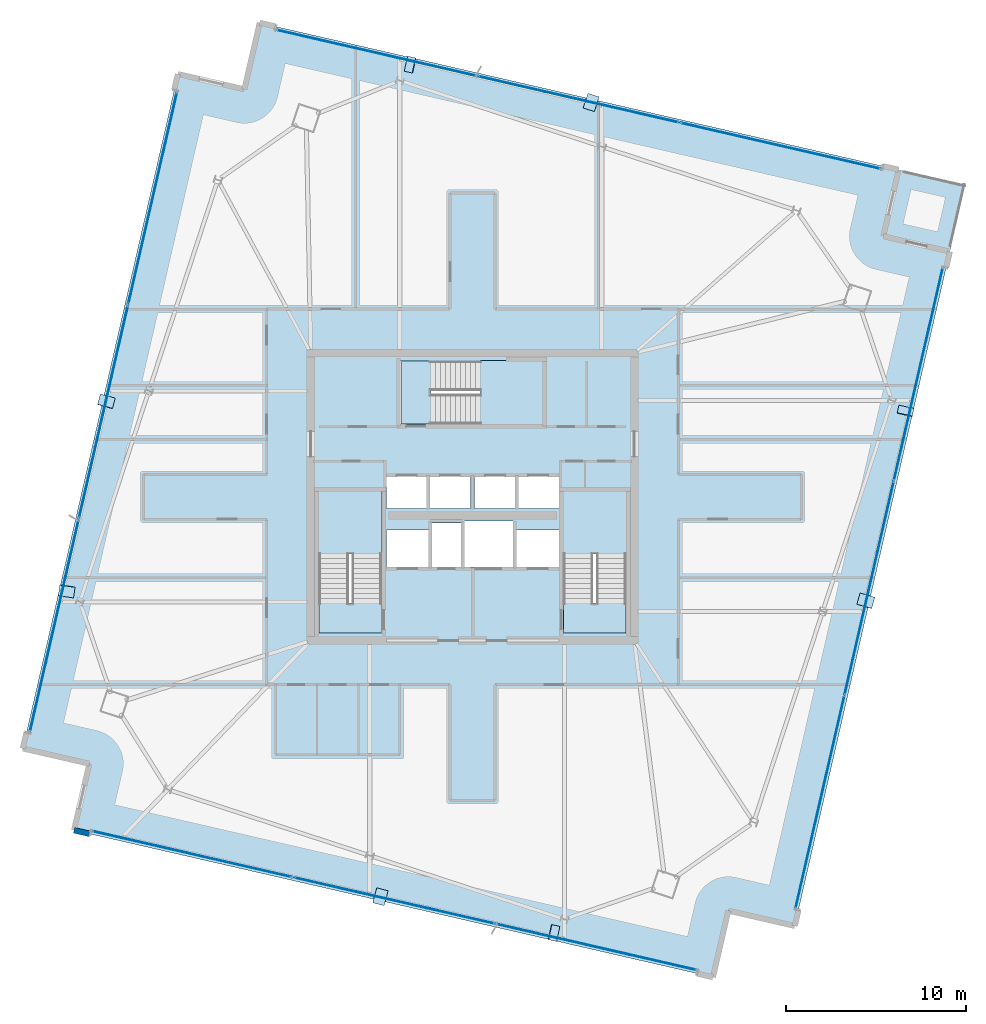
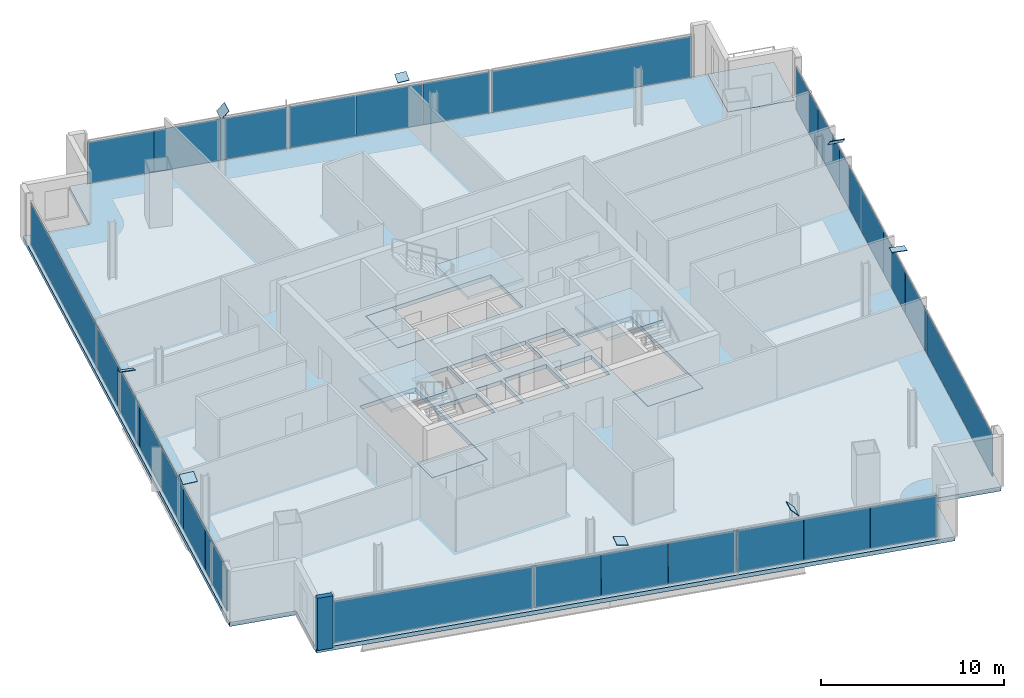
# One storey, part 19 of 28: 36 plates, 8 slabs, 1 wall, 7 elements without a shape of their own.
"""IFC4 building model written with IfcOpenShell, lengths in metres."""

import ifcopenshell
import ifcopenshell.guid

model = None  # the IFC model being written
_history = None  # IfcOwnerHistory: only IFC2X3 demands one
_inside = {}  # id of a spatial element -> (the spatial element, [elements in it])
_under = {}  # id of a project, library or spatial element -> (it, [spatial elements below it])
_declared = {}  # id of a project -> (the project, [libraries it declares])
_typed = {}  # id of a type object -> (the type object, [elements of that type])
_made_of = {}  # id of a material, layer set ... -> (it, [elements and type objects made of it])


def new_model(schema):
    """Start an empty IFC model of exactly this schema.

    Asked for "IFC4X3", IfcOpenShell would pick the latest addendum, in which some entities
    have other attributes; the version numbers below select the first issue.
    IFC2X3 requires an IfcOwnerHistory on every rooted entity: one is made here for all.
    """
    global model, _history
    if schema == "IFC4X3":
        model = ifcopenshell.file(schema_version=(4, 3, 0, 0))
    else:
        model = ifcopenshell.file(schema=schema)
    _inside.clear()
    _under.clear()
    _declared.clear()
    _typed.clear()
    _made_of.clear()
    _history = None
    if model.schema == "IFC2X3":
        org = make("IfcOrganization", Name="unknown")
        user = make(
            "IfcPersonAndOrganization",
            ThePerson=make("IfcPerson", FamilyName="unknown"),
            TheOrganization=org,
        )
        app = make(
            "IfcApplication",
            ApplicationDeveloper=org,
            Version="unknown",
            ApplicationFullName="unknown",
            ApplicationIdentifier="unknown",
        )
        _history = make(
            "IfcOwnerHistory",
            OwningUser=user,
            OwningApplication=app,
            ChangeAction="ADDED",
            CreationDate=0,
        )
    return model


def make(cls, **values):
    """One entity of the class cls with the attributes given. An attribute that is None is left unset."""
    return model.create_entity(
        cls, **{name: value for name, value in values.items() if value is not None}
    )


def rooted(cls, **values):
    """An entity with a GlobalId (a new one), such as an element, a storey or a relation."""
    return make(cls, GlobalId=ifcopenshell.guid.new(), OwnerHistory=_history, **values)


def si_unit(unit_type, name, prefix=None):
    """IfcSIUnit, for example si_unit("LENGTHUNIT", "METRE", prefix="MILLI")."""
    return make("IfcSIUnit", UnitType=unit_type, Prefix=prefix, Name=name)


def assignment(units):
    """IfcUnitAssignment: the units of a project."""
    return None if units is None else make("IfcUnitAssignment", Units=units)


def point(xyz):
    """IfcCartesianPoint."""
    return None if xyz is None else make("IfcCartesianPoint", Coordinates=xyz)


def direction(xyz):
    """IfcDirection."""
    return None if xyz is None else make("IfcDirection", DirectionRatios=xyz)


def frame(location, z_axis=None, x_axis=None):
    """IfcAxis2Placement3D, a coordinate frame: its origin and axes. An axis left out is left unset."""
    return make(
        "IfcAxis2Placement3D",
        Location=point(location),
        Axis=direction(z_axis),
        RefDirection=direction(x_axis),
    )


def frame_2d(location, x_axis=None):
    """IfcAxis2Placement2D, a coordinate frame in the plane: its origin and x axis."""
    return make(
        "IfcAxis2Placement2D", Location=point(location), RefDirection=direction(x_axis)
    )


def origin():
    """The frame at (0, 0, 0) with its axes left unset."""
    return frame((0.0, 0.0, 0.0))


def origin_2d():
    """The frame at (0, 0) in the plane with its x axis left unset."""
    return frame_2d((0.0, 0.0))


def place(relative_to, where):
    """IfcLocalPlacement: puts the frame where relative to a parent placement (None: the world)."""
    return make(
        "IfcLocalPlacement", PlacementRelTo=relative_to, RelativePlacement=where
    )


def context(
    kind, dimensions, precision=None, world=None, true_north=None, identifier=None
):
    """IfcGeometricRepresentationContext, for example the 3D "Model" context."""
    return make(
        "IfcGeometricRepresentationContext",
        ContextIdentifier=identifier,
        ContextType=kind,
        CoordinateSpaceDimension=dimensions,
        Precision=precision,
        WorldCoordinateSystem=world,
        TrueNorth=true_north,
    )


def subcontext(parent, identifier, kind, view, scale=None):
    """IfcGeometricRepresentationSubContext, for example "Body" below "Model"."""
    return make(
        "IfcGeometricRepresentationSubContext",
        ContextIdentifier=identifier,
        ContextType=kind,
        ParentContext=parent,
        TargetScale=scale,
        TargetView=view,
    )


def project(units=None, contexts=None):
    """IfcProject with its units and contexts."""
    return rooted(
        "IfcProject",
        Name="project",
        RepresentationContexts=contexts,
        UnitsInContext=assignment(units),
    )


def spatial(cls, under=None, at=None, **own):
    """A site, building, storey or space (cls), placed at a placement, below another one or the project."""
    s = rooted(cls, ObjectPlacement=at, **own)
    if under is not None:
        _under.setdefault(under.id(), (under, []))[1].append(s)
    return s


def polyline(points):
    """IfcPolyline through the points."""
    return make("IfcPolyline", Points=[point(p) for p in points])


def profile(cls, at=None, kind="AREA", **sizes):
    """A parametric profile (cls). Its sizes go by their IFC names, for example OverallWidth=200.0."""
    return make(cls, ProfileType=kind, Position=at, **sizes)


def rectangle(**sizes):
    """IfcRectangleProfileDef."""
    return profile("IfcRectangleProfileDef", **sizes)


def outline(outer, holes=None, kind="AREA"):
    """IfcArbitraryClosedProfileDef: a profile drawn as a closed curve; with holes, ...WithVoids."""
    if holes is None:
        return make("IfcArbitraryClosedProfileDef", ProfileType=kind, OuterCurve=outer)
    return make(
        "IfcArbitraryProfileDefWithVoids",
        ProfileType=kind,
        OuterCurve=outer,
        InnerCurves=holes,
    )


def extrude(swept, where, along, depth):
    """IfcExtrudedAreaSolid: the profile swept, set in the frame where, extruded along a direction by depth."""
    return make(
        "IfcExtrudedAreaSolid",
        SweptArea=swept,
        Position=where,
        ExtrudedDirection=direction(along),
        Depth=depth,
    )


def shape(context_of_items, identifier, shape_type, items):
    """IfcShapeRepresentation: the items that make up one representation, for example the "Body"."""
    return make(
        "IfcShapeRepresentation",
        ContextOfItems=context_of_items,
        RepresentationIdentifier=identifier,
        RepresentationType=shape_type,
        Items=items,
    )


def source(mapping_origin, context_of_items, identifier, shape_type, items):
    """IfcRepresentationMap: a shape defined once, which mapped items show again and again."""
    return make(
        "IfcRepresentationMap",
        MappingOrigin=mapping_origin,
        MappedRepresentation=shape(context_of_items, identifier, shape_type, items),
    )


def transform(
    local_origin,
    x_axis=None,
    y_axis=None,
    z_axis=None,
    scale=None,
    scale2=None,
    scale3=None,
    uniform=True,
):
    """IfcCartesianTransformationOperator3D, or its non-uniform kind. x_axis, y_axis, z_axis: its Axis1, 2, 3."""
    if uniform:
        return make(
            "IfcCartesianTransformationOperator3D",
            Axis1=direction(x_axis),
            Axis2=direction(y_axis),
            LocalOrigin=point(local_origin),
            Scale=scale,
            Axis3=direction(z_axis),
        )
    return make(
        "IfcCartesianTransformationOperator3DnonUniform",
        Axis1=direction(x_axis),
        Axis2=direction(y_axis),
        LocalOrigin=point(local_origin),
        Scale=scale,
        Axis3=direction(z_axis),
        Scale2=scale2,
        Scale3=scale3,
    )


def mapped(mapping_source, mapping_target):
    """IfcMappedItem: shows the shape of a source again, moved by a transform."""
    return make(
        "IfcMappedItem", MappingSource=mapping_source, MappingTarget=mapping_target
    )


def material(Name=None, Category=None):
    """IfcMaterial."""
    return make("IfcMaterial", Name=Name, Category=Category)


def layer(
    of_material, thickness, ventilated=None, Name=None, Category=None, Priority=None
):
    """IfcMaterialLayer: one layer of a wall or slab, of a material (None: an air gap)."""
    return make(
        "IfcMaterialLayer",
        Material=of_material,
        LayerThickness=thickness,
        IsVentilated=ventilated,
        Name=Name,
        Category=Category,
        Priority=Priority,
    )


def layer_set(layers, Name=None):
    """IfcMaterialLayerSet."""
    return make("IfcMaterialLayerSet", MaterialLayers=layers, LayerSetName=Name)


def made_of(thing, what):
    """Note that an element or type object is made of a material, layer set ...; save() writes the relation."""
    if what is not None:
        _made_of.setdefault(what.id(), (what, []))[1].append(thing)
    return thing


def type_object(cls, material=None, **own):
    """A type object (cls), such as IfcWallType, which elements share."""
    return made_of(rooted(cls, **own), material)


def element(
    cls,
    number,
    at=None,
    inside=None,
    cuts=None,
    type_object=None,
    material=None,
    context=None,
    identifier="Body",
    shape_type=None,
    held_by="IfcProductDefinitionShape",
    body=None,
    shapes=None,
    **own,
):
    """One element of the class cls, such as IfcWall. Its Tag is "e" and its number.

    at: its placement. inside: the storey or other place that contains it. cuts: it is an
    opening in that element (IfcRelVoidsElement). A single representation is given by context,
    identifier, shape_type and body (its items); several are given by shapes. held_by: the class
    of the entity that holds the representations. save() writes the other relations.
    """
    e = rooted(cls, Tag="e%d" % number, ObjectPlacement=at, **own)
    if body is not None:
        shapes = [shape(context, identifier, shape_type, body)]
    if shapes is not None:
        e.Representation = make(held_by, Representations=shapes)
    if inside is not None:
        _inside.setdefault(inside.id(), (inside, []))[1].append(e)
    if cuts is not None:
        rooted(
            "IfcRelVoidsElement", RelatingBuildingElement=cuts, RelatedOpeningElement=e
        )
    if type_object is not None:
        _typed.setdefault(type_object.id(), (type_object, []))[1].append(e)
    return made_of(e, material)


def aggregate(whole, parts):
    """IfcRelAggregates: a whole, such as a stair, and the parts it consists of."""
    return rooted("IfcRelAggregates", RelatingObject=whole, RelatedObjects=parts)


def save(model, path):
    """Write the relations noted so far, then the file.

    IfcRelAggregates (storeys below a building ...), IfcRelContainedInSpatialStructure (elements
    in a storey), IfcRelDefinesByType, IfcRelAssociatesMaterial and IfcRelDeclares: one each for
    every whole, place, type object, material and project.
    """
    for whole, parts in _under.values():
        aggregate(whole, parts)
    for where, things in _inside.values():
        rooted(
            "IfcRelContainedInSpatialStructure",
            RelatedElements=things,
            RelatingStructure=where,
        )
    for kind, things in _typed.values():
        rooted("IfcRelDefinesByType", RelatedObjects=things, RelatingType=kind)
    for what, things in _made_of.values():
        rooted("IfcRelAssociatesMaterial", RelatedObjects=things, RelatingMaterial=what)
    for by, libraries in _declared.values():
        rooted("IfcRelDeclares", RelatingContext=by, RelatedDefinitions=libraries)
    model.write(path)


model = new_model("IFC4")

# Units and contexts
model_context = context("Model", 3, precision=1e-05, world=origin(), true_north=direction((0.0, 1.0)))
body_context = subcontext(model_context, "Body", "Model", "MODEL_VIEW")
ifc_project = project(units=[si_unit("LENGTHUNIT", "METRE"), si_unit("AREAUNIT", "SQUARE_METRE"), si_unit("VOLUMEUNIT", "CUBIC_METRE"), si_unit("PLANEANGLEUNIT", "RADIAN"), si_unit("MASSUNIT", "GRAM", prefix="KILO")], contexts=[model_context])

# Site, building, storey
site_placement = place(None, origin())
site = spatial("IfcSite", under=ifc_project, at=site_placement, CompositionType="ELEMENT")
building_placement = place(site_placement, origin())
building = spatial("IfcBuilding", under=site, at=building_placement, Name="Haldenkirk Collegiate Tower", CompositionType="ELEMENT")
storey_placement = place(building_placement, frame((0.0, 0.0, 286.199951171875)))
storey = spatial("IfcBuildingStorey", under=building, at=storey_placement, Name="L72", CompositionType="ELEMENT", Elevation=286.199951171875)

# Slab
ifc_material_1 = material(Name="Concrete f'c 40 MPa", Category="concrete")
ifc_layer_1 = layer(ifc_material_1, 0.27001953125)
ifc_layer_set_1 = layer_set([ifc_layer_1], Name="Concrete f'c 40 MPa")
slab_type_1 = type_object("IfcSlabType", Name="SLB-FLR-270", PredefinedType="FLOOR", material=ifc_layer_set_1)
slab_1_placement = place(storey_placement, frame((0.0, 0.0, -0.27001953125)))
element("IfcSlab", 1, at=slab_1_placement, inside=storey, type_object=slab_type_1, Name="L72 composite structural floor slab", PredefinedType="FLOOR", context=body_context, shape_type="SweptSolid", body=[
    extrude(outline(polyline([(53.930419921875, 2.12451171875), (62.558349609375, 39.645263671875), (58.85498046875, 40.496826171875), (59.70654296875, 44.2001953125), (24.1591796875, 52.374267578125), (23.307861328125, 48.6708984375), (19.6044921875, 49.5224609375), (10.9765625, 12.001708984375), (14.679931640625, 11.150146484375), (13.828369140625, 7.44677734375), (49.37548828125, -0.727294921875), (50.227294921875, 2.97607421875), (53.930419921875, 2.12451171875)]), holes=[polyline([(27.449951171875, 18.39990234375), (30.949951171875, 18.39990234375), (30.949951171875, 26.300048828125), (27.449951171875, 26.300048828125), (27.449951171875, 18.39990234375)]), polyline([(41.050048828125, 18.39990234375), (44.550048828125, 18.39990234375), (44.550048828125, 26.300048828125), (41.050048828125, 26.300048828125), (41.050048828125, 18.39990234375)]), polyline([(32.0, 30.050048828125), (39.89990234375, 30.050048828125), (39.89990234375, 33.550048828125), (32.0, 33.550048828125), (32.0, 30.050048828125)]), polyline([(33.75, 22.10009765625), (35.35009765625, 22.10009765625), (35.35009765625, 24.550048828125), (33.75, 24.550048828125), (33.75, 22.10009765625)]), polyline([(31.199951171875, 25.35009765625), (33.47998046875, 25.35009765625), (33.47998046875, 27.14990234375), (31.199951171875, 27.14990234375), (31.199951171875, 25.35009765625)]), polyline([(33.60009765625, 25.35009765625), (35.8798828125, 25.35009765625), (35.8798828125, 27.14990234375), (33.60009765625, 27.14990234375), (33.60009765625, 25.35009765625)]), polyline([(36.1201171875, 25.35009765625), (38.39990234375, 25.35009765625), (38.39990234375, 27.14990234375), (36.1201171875, 27.14990234375), (36.1201171875, 25.35009765625)]), polyline([(38.52001953125, 25.35009765625), (40.800048828125, 25.35009765625), (40.800048828125, 27.14990234375), (38.52001953125, 27.14990234375), (38.52001953125, 25.35009765625)]), polyline([(31.199951171875, 22.10009765625), (33.550048828125, 22.10009765625), (33.550048828125, 24.14990234375), (31.199951171875, 24.14990234375), (31.199951171875, 22.10009765625)]), polyline([(38.449951171875, 22.10009765625), (40.800048828125, 22.10009765625), (40.800048828125, 24.14990234375), (38.449951171875, 24.14990234375), (38.449951171875, 22.10009765625)]), polyline([(35.550048828125, 22.10009765625), (38.25, 22.10009765625), (38.25, 24.64990234375), (35.550048828125, 24.64990234375), (35.550048828125, 22.10009765625)])]), origin(), (0.0, 0.0, 1.0), 0.27001953125),
])

# Stair, slab
stair_type = type_object("IfcStairType", Name="STR-DOGLEG-1650", PredefinedType="HALF_TURN_STAIR", material=ifc_material_1)
stair_1_placement = place(storey_placement, origin())
stair_1 = element("IfcStair", 2, at=stair_1_placement, inside=storey, type_object=stair_type, Name="L72 Core Exit Stair ST-1", PredefinedType="HALF_TURN_STAIR")
ifc_layer_2 = layer(ifc_material_1, 0.199951171875)
ifc_layer_set_2 = layer_set([ifc_layer_2], Name="Concrete f'c 40 MPa")
slab_type_2 = type_object("IfcSlabType", Name="SLB-LANDING-200", PredefinedType="LANDING", material=ifc_layer_set_2)
slab_2_placement = place(storey_placement, frame((0.0, 0.0, 1.675048828125)))
slab_2 = element("IfcSlab", 3, at=slab_2_placement, type_object=slab_type_2, Name="ST-1 landing 1", PredefinedType="LANDING", context=body_context, shape_type="SweptSolid", body=[
    extrude(outline(polyline([(30.97509765625, 22.824951171875), (27.425048828125, 22.824951171875), (27.425048828125, 26.324951171875), (30.97509765625, 26.324951171875), (30.97509765625, 22.824951171875)])), origin(), (0.0, 0.0, 1.0), 0.199951171875),
])
aggregate(stair_1, [slab_2])

stair_2_placement = place(storey_placement, origin())
stair_2 = element("IfcStair", 4, at=stair_2_placement, inside=storey, type_object=stair_type, Name="L72 Core Exit Stair ST-2", PredefinedType="HALF_TURN_STAIR")
slab_3_placement = place(storey_placement, frame((0.0, 0.0, 1.675048828125)))
slab_3 = element("IfcSlab", 5, at=slab_3_placement, type_object=slab_type_2, Name="ST-2 landing 1", PredefinedType="LANDING", context=body_context, shape_type="SweptSolid", body=[
    extrude(outline(polyline([(44.574951171875, 22.824951171875), (41.02490234375, 22.824951171875), (41.02490234375, 26.324951171875), (44.574951171875, 26.324951171875), (44.574951171875, 22.824951171875)])), origin(), (0.0, 0.0, 1.0), 0.199951171875),
])
aggregate(stair_2, [slab_3])

stair_3_placement = place(storey_placement, origin())
stair_3 = element("IfcStair", 6, at=stair_3_placement, inside=storey, type_object=stair_type, Name="L72 Core Exit Stair ST-3", PredefinedType="HALF_TURN_STAIR")
slab_4_placement = place(storey_placement, frame((0.0, 0.0, 1.675048828125)))
slab_4 = element("IfcSlab", 7, at=slab_4_placement, type_object=slab_type_2, Name="ST-3 landing 1", PredefinedType="LANDING", context=body_context, shape_type="SweptSolid", body=[
    extrude(outline(polyline([(36.425048828125, 30.02490234375), (36.425048828125, 33.574951171875), (39.925048828125, 33.574951171875), (39.925048828125, 30.02490234375), (36.425048828125, 30.02490234375)])), origin(), (0.0, 0.0, 1.0), 0.199951171875),
])
aggregate(stair_3, [slab_4])

# Slabs
ifc_layer_3 = layer(ifc_material_1, 0.25)
ifc_layer_set_3 = layer_set([ifc_layer_3], Name="Concrete f'c 40 MPa")
slab_type_3 = type_object("IfcSlabType", Name="SLB-STAIRLAND-250", PredefinedType="LANDING", material=ifc_layer_set_3)
slab_5_placement = place(storey_placement, frame((0.0, 0.0, -0.25)))
element("IfcSlab", 8, at=slab_5_placement, inside=storey, type_object=slab_type_3, Name="L72 stair ST1 structural floor landing slab", PredefinedType="LANDING", context=body_context, shape_type="SweptSolid", body=[
    extrude(outline(polyline([(27.4599609375, 18.409912109375), (30.93994140625, 18.409912109375), (30.93994140625, 20.080078125), (27.4599609375, 20.080078125), (27.4599609375, 18.409912109375)])), origin(), (0.0, 0.0, 1.0), 0.25),
])
slab_6_placement = place(storey_placement, frame((0.0, 0.0, -0.25)))
element("IfcSlab", 9, at=slab_6_placement, inside=storey, type_object=slab_type_3, Name="L72 stair ST2 structural floor landing slab", PredefinedType="LANDING", context=body_context, shape_type="SweptSolid", body=[
    extrude(outline(polyline([(41.06005859375, 18.409912109375), (44.5400390625, 18.409912109375), (44.5400390625, 20.080078125), (41.06005859375, 20.080078125), (41.06005859375, 18.409912109375)])), origin(), (0.0, 0.0, 1.0), 0.25),
])
slab_7_placement = place(storey_placement, frame((0.0, 0.0, -0.25)))
element("IfcSlab", 10, at=slab_7_placement, inside=storey, type_object=slab_type_3, Name="L72 stair ST3 structural floor landing slab", PredefinedType="LANDING", context=body_context, shape_type="SweptSolid", body=[
    extrude(outline(polyline([(32.010009765625, 30.06005859375), (33.679931640625, 30.06005859375), (33.679931640625, 33.5400390625), (32.010009765625, 33.5400390625), (32.010009765625, 30.06005859375)])), origin(), (0.0, 0.0, 1.0), 0.25),
])
ifc_layer_4 = layer(ifc_material_1, 0.22998046875)
ifc_layer_set_4 = layer_set([ifc_layer_4], Name="Concrete f'c 40 MPa")
slab_type_4 = type_object("IfcSlabType", Name="SLB-TERR-SPIRAL-230", PredefinedType="FLOOR", material=ifc_layer_set_4)
slab_8_placement = place(storey_placement, frame((0.0, 0.0, -0.22998046875)))
element("IfcSlab", 11, at=slab_8_placement, inside=storey, type_object=slab_type_4, Name="L72 spiralling corner terrace slab", PredefinedType="FLOOR", context=body_context, shape_type="SweptSolid", body=[
    extrude(outline(polyline([(62.558349609375, 39.645263671875), (63.409912109375, 43.3486328125), (59.70654296875, 44.2001953125), (58.85498046875, 40.496826171875), (62.558349609375, 39.645263671875)])), origin(), (0.0, 0.0, 1.0), 0.22998046875),
])

# Plates
ifc_material_2 = material(Name="Steel ASTM A572 Grade 50", Category="steel")
ifc_layer_5 = layer(ifc_material_2, 0.034912109375)
ifc_layer_set_5 = layer_set([ifc_layer_5], Name="Steel ASTM A572 Grade 50")
plate_type_1 = type_object("IfcPlateType", Name="PLT-CAP-EXT-760X600", PredefinedType="USERDEFINED", material=ifc_layer_set_5)
shared_shape_1 = source(origin(), body_context, "Body", "SweptSolid", [
    extrude(rectangle(XDim=0.860107421875, YDim=0.659912109375, at=origin_2d()), origin(), (0.0, 0.0, 1.0), 0.034912109375),
])
for number, where, z_axis, x_axis, name in (
    (12, (57.883544921875, 20.211181640625, 3.467041015625), (0.053192007613, 0.184898026463, 0.981317140448), (-0.961022839828, 0.276468988006, 1.67073e-07), "Perimeter Mega Brace Z5 L70-L72 SL end cap plate 2"),
    (13, (60.089599609375, 30.7705078125, 3.468017578125), (0.163878041732, 0.737935187918, 0.654672166715), (-0.976217256727, 0.216794528685, 3.98785e-07), "Perimeter Mega Brace Z5 L70-L72 SR end cap plate 2"),
    (14, (42.60302734375, 47.943359375, 3.467041015625), (-0.140814966905, 0.045457989316, 0.988991767561), (-0.307212864755, -0.951640822857, -4.9649e-07), "Perimeter Mega Brace Z5 L70-L72 EL end cap plate 2"),
    (15, (32.5390625, 50.0458984375, 3.468017578125), (-0.710650711801, 0.159571935287, 0.685209722118), (-0.219088087404, -0.975705083495, 6.302e-08), "Perimeter Mega Brace Z5 L70-L72 ER end cap plate 2"),
    (16, (15.624267578125, 31.30517578125, 3.467529296875), (0.113128018779, 0.422172070079, 0.899429149301), (-0.965921588546, 0.258834860059, -5.9006e-08), "Perimeter Mega Brace Z5 L70-L72 NL end cap plate 2"),
    (17, (13.41845703125, 20.74658203125, 3.46728515625), (-0.063543998585, -0.424040990557, 0.903410979882), (0.988957696407, -0.148198092827, 2.88219e-07), "Perimeter Mega Brace Z5 L70-L72 NR end cap plate 2"),
    (18, (30.869873046875, 3.7490234375, 3.46728515625), (0.161484996569, -0.04283799909, 0.985944979052), (0.256409033762, 0.966568366648, -3.62218e-07), "Perimeter Mega Brace Z5 L70-L72 WL end cap plate 2"),
    (19, (40.521728515625, 1.732666015625, 3.468017578125), (0.706195939484, -0.153911986811, 0.691084940779), (0.212946633941, 0.977063831637, -3.07701e-07), "Perimeter Mega Brace Z5 L70-L72 WR end cap plate 2"),
):
    element("IfcPlate", number, at=place(storey_placement, frame(where, z_axis=z_axis, x_axis=x_axis)), inside=storey, type_object=plate_type_1, Name=name, ObjectType="END CAP PLATE", PredefinedType="USERDEFINED", context=body_context, shape_type="MappedRepresentation", body=[
        mapped(shared_shape_1, transform((0.0, 0.0, 0.0), x_axis=(1.0, 0.0, 0.0), y_axis=(0.0, 1.0, 0.0), z_axis=(0.0, 0.0, 1.0), scale=1.0)),
    ])

# Curtain wall, plates
ifc_material_3 = material(Name="Anodised architectural bronze aluminium", Category="aluminium")
curtain_wall_type_1 = type_object("IfcCurtainWallType", Name="CW-SYS2-CONCAVE", PredefinedType="USERDEFINED", material=ifc_material_3)
curtain_wall_1_placement = place(storey_placement, origin())
curtain_wall_1 = element("IfcCurtainWall", 20, at=curtain_wall_1_placement, inside=storey, type_object=curtain_wall_type_1, Name="L72 South concave recessed bronze-anodised curtain wall", ObjectType="UNITISED CURTAIN WALL", PredefinedType="USERDEFINED")
ifc_material_4 = material(Name="Low-E argon triple insulating glass", Category="glass")
ifc_layer_6 = layer(ifc_material_4, 0.0419921875)
ifc_layer_set_6 = layer_set([ifc_layer_6], Name="Low-E argon triple insulating glass")
plate_type_2 = type_object("IfcPlateType", Name="CW-PNL-02", PredefinedType="CURTAIN_PANEL", material=ifc_layer_set_6)
shared_shape_2 = source(origin(), body_context, "Body", "SweptSolid", [
    extrude(rectangle(XDim=4.02783203125, YDim=0.0419921875, at=origin_2d()), origin(), (0.0, 0.0, 1.0), 2.7880859375),
])
plate_1_placement = place(storey_placement, frame((61.713134765625, 36.772705078125, 0.074951171875), z_axis=(0.0, 0.0, 1.0), x_axis=(-0.224100644756, -0.974566006497, 0.0)))
plate_1 = element("IfcPlate", 21, at=plate_1_placement, type_object=plate_type_2, Name="CW-02 panel 1.1a", PredefinedType="CURTAIN_PANEL", context=body_context, shape_type="MappedRepresentation", body=[
    mapped(shared_shape_2, transform((0.0, 0.0, 0.0), x_axis=(1.0, 0.0, 0.0), y_axis=(0.0, 1.0, 0.0), z_axis=(0.0, 0.0, 1.0), scale=1.0)),
])
ifc_material_5 = material(Name="Bronze-anodised insulated aluminium spandrel panel", Category="aluminium")
ifc_layer_7 = layer(ifc_material_5, 0.0419921875)
ifc_layer_set_7 = layer_set([ifc_layer_7], Name="Bronze-anodised insulated aluminium spandrel panel")
plate_type_3 = type_object("IfcPlateType", Name="CW-SPD-02", PredefinedType="CURTAIN_PANEL", material=ifc_layer_set_7)
plate_2_placement = place(storey_placement, frame((59.8994140625, 28.885498046875, 0.074951171875), z_axis=(0.0, 0.0, 1.0), x_axis=(-0.224100644756, -0.974566006497, 0.0)))
plate_2 = element("IfcPlate", 22, at=plate_2_placement, type_object=plate_type_3, Name="CW-02 spandrel panel 1.1c", PredefinedType="CURTAIN_PANEL", context=body_context, shape_type="MappedRepresentation", body=[
    mapped(shared_shape_2, transform((0.0, 0.0, 0.0), x_axis=(1.0, 0.0, 0.0), y_axis=(0.0, 1.0, 0.0), z_axis=(0.0, 0.0, 1.0), scale=1.0)),
])
plate_3_placement = place(storey_placement, frame((58.069091796875, 20.92529296875, 0.074951171875), z_axis=(0.0, 0.0, 1.0), x_axis=(-0.224100644756, -0.974566006497, 0.0)))
plate_3 = element("IfcPlate", 23, at=plate_3_placement, type_object=plate_type_3, Name="CW-02 spandrel panel 2.1b", PredefinedType="CURTAIN_PANEL", context=body_context, shape_type="MappedRepresentation", body=[
    mapped(shared_shape_2, transform((0.0, 0.0, 0.0), x_axis=(1.0, 0.0, 0.0), y_axis=(0.0, 1.0, 0.0), z_axis=(0.0, 0.0, 1.0), scale=1.0)),
])
shared_shape_3 = source(origin(), body_context, "Body", "SweptSolid", [
    extrude(rectangle(XDim=4.015380859375, YDim=0.0419921875, at=origin_2d()), origin(), (0.0, 0.0, 1.0), 2.7880859375),
])
plate_4_placement = place(storey_placement, frame((60.806396484375, 32.8291015625, 0.074951171875), z_axis=(0.0, 0.0, 1.0), x_axis=(-0.224100644756, -0.974566006497, 0.0)))
plate_4 = element("IfcPlate", 24, at=plate_4_placement, type_object=plate_type_2, Name="CW-02 panel 1.1b", PredefinedType="CURTAIN_PANEL", context=body_context, shape_type="MappedRepresentation", body=[
    mapped(shared_shape_3, transform((0.0, 0.0, 0.0), x_axis=(1.0, 0.0, 0.0), y_axis=(0.0, 1.0, 0.0), z_axis=(0.0, 0.0, 1.0), scale=1.0)),
])
shared_shape_4 = source(origin(), body_context, "Body", "SweptSolid", [
    extrude(rectangle(XDim=4.040283203125, YDim=0.0419921875, at=origin_2d()), origin(), (0.0, 0.0, 1.0), 2.7880859375),
])
plate_5_placement = place(storey_placement, frame((58.978759765625, 24.881103515625, 0.074951171875), z_axis=(0.0, 0.0, 1.0), x_axis=(-0.224100644756, -0.974566006497, 0.0)))
plate_5 = element("IfcPlate", 25, at=plate_5_placement, type_object=plate_type_3, Name="CW-02 spandrel panel 2.1a", PredefinedType="CURTAIN_PANEL", context=body_context, shape_type="MappedRepresentation", body=[
    mapped(shared_shape_4, transform((0.0, 0.0, 0.0), x_axis=(1.0, 0.0, 0.0), y_axis=(0.0, 1.0, 0.0), z_axis=(0.0, 0.0, 1.0), scale=1.0)),
])
plate_6_placement = place(storey_placement, frame((57.159423828125, 16.969482421875, 0.074951171875), z_axis=(0.0, 0.0, 1.0), x_axis=(-0.224100644756, -0.974566006497, 0.0)))
plate_6 = element("IfcPlate", 26, at=plate_6_placement, type_object=plate_type_2, Name="CW-02 panel 2.1c", PredefinedType="CURTAIN_PANEL", context=body_context, shape_type="MappedRepresentation", body=[
    mapped(shared_shape_4, transform((0.0, 0.0, 0.0), x_axis=(1.0, 0.0, 0.0), y_axis=(0.0, 1.0, 0.0), z_axis=(0.0, 0.0, 1.0), scale=1.0)),
])

curtain_wall_type_2 = type_object("IfcCurtainWallType", Name="CW-SYS1B-CONVEX-HI", PredefinedType="USERDEFINED", material=ifc_material_3)
curtain_wall_2_placement = place(storey_placement, origin())
curtain_wall_2 = element("IfcCurtainWall", 27, at=curtain_wall_2_placement, inside=storey, type_object=curtain_wall_type_2, Name="L72 Upper tower high-wind convex bronze unitised curtain wall", ObjectType="UNITISED CURTAIN WALL", PredefinedType="USERDEFINED")
ifc_layer_8 = layer(ifc_material_4, 0.048095703125)
ifc_layer_set_8 = layer_set([ifc_layer_8], Name="Low-E argon triple insulating glass")
plate_type_4 = type_object("IfcPlateType", Name="CW-PNL-1B", PredefinedType="CURTAIN_PANEL", material=ifc_layer_set_8)
shared_shape_5 = source(origin(), body_context, "Body", "SweptSolid", [
    extrude(rectangle(XDim=3.7978515625, YDim=0.048095703125, at=origin_2d()), origin(), (0.0, 0.0, 1.0), 2.76806640625),
])
plate_7_placement = place(storey_placement, frame((26.929443359375, 51.552490234375, 0.0849609375), z_axis=(0.0, 0.0, 1.0), x_axis=(0.974565976971, -0.22410077316, 0.0)))
plate_7 = element("IfcPlate", 28, at=plate_7_placement, type_object=plate_type_4, Name="CW-1B panel 1.1a", PredefinedType="CURTAIN_PANEL", context=body_context, shape_type="MappedRepresentation", body=[
    mapped(shared_shape_5, transform((0.0, 0.0, 0.0), x_axis=(1.0, 0.0, 0.0), y_axis=(0.0, 1.0, 0.0), z_axis=(0.0, 0.0, 1.0), scale=1.0)),
])
ifc_layer_9 = layer(ifc_material_5, 0.048095703125)
ifc_layer_set_9 = layer_set([ifc_layer_9], Name="Bronze-anodised insulated aluminium spandrel panel")
plate_type_5 = type_object("IfcPlateType", Name="CW-SPD-1B", PredefinedType="CURTAIN_PANEL", material=ifc_layer_set_9)
plate_8_placement = place(storey_placement, frame((34.368408203125, 49.842041015625, 0.0849609375), z_axis=(0.0, 0.0, 1.0), x_axis=(0.974565976971, -0.22410077316, 0.0)))
plate_8 = element("IfcPlate", 29, at=plate_8_placement, type_object=plate_type_5, Name="CW-1B spandrel panel 1.1c", PredefinedType="CURTAIN_PANEL", context=body_context, shape_type="MappedRepresentation", body=[
    mapped(shared_shape_5, transform((0.0, 0.0, 0.0), x_axis=(1.0, 0.0, 0.0), y_axis=(0.0, 1.0, 0.0), z_axis=(0.0, 0.0, 1.0), scale=1.0)),
])

curtain_wall_3_placement = place(storey_placement, origin())
curtain_wall_3 = element("IfcCurtainWall", 30, at=curtain_wall_3_placement, inside=storey, type_object=curtain_wall_type_2, Name="L72 Upper tower high-wind convex bronze unitised curtain wall", ObjectType="UNITISED CURTAIN WALL", PredefinedType="USERDEFINED")
plate_9_placement = place(storey_placement, frame((46.60546875, 0.094482421875, 0.0849609375), z_axis=(0.0, 0.0, 1.0), x_axis=(-0.974565976971, 0.22410077316, 0.0)))
plate_9 = element("IfcPlate", 31, at=plate_9_placement, type_object=plate_type_4, Name="CW-1B panel 1.1a", PredefinedType="CURTAIN_PANEL", context=body_context, shape_type="MappedRepresentation", body=[
    mapped(shared_shape_5, transform((0.0, 0.0, 0.0), x_axis=(1.0, 0.0, 0.0), y_axis=(0.0, 1.0, 0.0), z_axis=(0.0, 0.0, 1.0), scale=1.0)),
])
plate_10_placement = place(storey_placement, frame((39.16650390625, 1.804931640625, 0.0849609375), z_axis=(0.0, 0.0, 1.0), x_axis=(-0.974565976971, 0.22410077316, 0.0)))
plate_10 = element("IfcPlate", 32, at=plate_10_placement, type_object=plate_type_5, Name="CW-1B spandrel panel 1.1c", PredefinedType="CURTAIN_PANEL", context=body_context, shape_type="MappedRepresentation", body=[
    mapped(shared_shape_5, transform((0.0, 0.0, 0.0), x_axis=(1.0, 0.0, 0.0), y_axis=(0.0, 1.0, 0.0), z_axis=(0.0, 0.0, 1.0), scale=1.0)),
])

# Plate
shared_shape_6 = source(origin(), body_context, "Body", "SweptSolid", [
    extrude(rectangle(XDim=3.785400390625, YDim=0.048095703125, at=origin_2d()), origin(), (0.0, 0.0, 1.0), 2.76806640625),
])
plate_11_placement = place(storey_placement, frame((30.64892578125, 50.697265625, 0.0849609375), z_axis=(0.0, 0.0, 1.0), x_axis=(0.974565976971, -0.22410077316, 0.0)))
plate_11 = element("IfcPlate", 33, at=plate_11_placement, type_object=plate_type_4, Name="CW-1B panel 1.1b", PredefinedType="CURTAIN_PANEL", context=body_context, shape_type="MappedRepresentation", body=[
    mapped(shared_shape_6, transform((0.0, 0.0, 0.0), x_axis=(1.0, 0.0, 0.0), y_axis=(0.0, 1.0, 0.0), z_axis=(0.0, 0.0, 1.0), scale=1.0)),
])

plate_12_placement = place(storey_placement, frame((42.885986328125, 0.94970703125, 0.0849609375), z_axis=(0.0, 0.0, 1.0), x_axis=(-0.974565976971, 0.22410077316, 0.0)))
plate_12 = element("IfcPlate", 34, at=plate_12_placement, type_object=plate_type_4, Name="CW-1B panel 1.1b", PredefinedType="CURTAIN_PANEL", context=body_context, shape_type="MappedRepresentation", body=[
    mapped(shared_shape_6, transform((0.0, 0.0, 0.0), x_axis=(1.0, 0.0, 0.0), y_axis=(0.0, 1.0, 0.0), z_axis=(0.0, 0.0, 1.0), scale=1.0)),
])

shared_shape_7 = source(origin(), body_context, "Body", "SweptSolid", [
    extrude(rectangle(XDim=3.81201171875, YDim=0.048095703125, at=origin_2d()), origin(), (0.0, 0.0, 1.0), 2.76806640625),
])
plate_13_placement = place(storey_placement, frame((38.159423828125, 48.97021484375, 0.0849609375), z_axis=(0.0, 0.0, 1.0), x_axis=(0.974565976971, -0.22410077316, 0.0)))
plate_13 = element("IfcPlate", 35, at=plate_13_placement, type_object=plate_type_5, Name="CW-1B spandrel panel 2.1a", PredefinedType="CURTAIN_PANEL", context=body_context, shape_type="MappedRepresentation", body=[
    mapped(shared_shape_7, transform((0.0, 0.0, 0.0), x_axis=(1.0, 0.0, 0.0), y_axis=(0.0, 1.0, 0.0), z_axis=(0.0, 0.0, 1.0), scale=1.0)),
])

plate_14_placement = place(storey_placement, frame((45.6259765625, 47.25341796875, 0.0849609375), z_axis=(0.0, 0.0, 1.0), x_axis=(0.974565976971, -0.22410077316, 0.0)))
plate_14 = element("IfcPlate", 36, at=plate_14_placement, type_object=plate_type_4, Name="CW-1B panel 2.1c", PredefinedType="CURTAIN_PANEL", context=body_context, shape_type="MappedRepresentation", body=[
    mapped(shared_shape_7, transform((0.0, 0.0, 0.0), x_axis=(1.0, 0.0, 0.0), y_axis=(0.0, 1.0, 0.0), z_axis=(0.0, 0.0, 1.0), scale=1.0)),
])

plate_15_placement = place(storey_placement, frame((35.37548828125, 2.6767578125, 0.0849609375), z_axis=(0.0, 0.0, 1.0), x_axis=(-0.974565976971, 0.22410077316, 0.0)))
plate_15 = element("IfcPlate", 37, at=plate_15_placement, type_object=plate_type_5, Name="CW-1B spandrel panel 2.1a", PredefinedType="CURTAIN_PANEL", context=body_context, shape_type="MappedRepresentation", body=[
    mapped(shared_shape_7, transform((0.0, 0.0, 0.0), x_axis=(1.0, 0.0, 0.0), y_axis=(0.0, 1.0, 0.0), z_axis=(0.0, 0.0, 1.0), scale=1.0)),
])

plate_16_placement = place(storey_placement, frame((27.908935546875, 4.3935546875, 0.0849609375), z_axis=(0.0, 0.0, 1.0), x_axis=(-0.974565976971, 0.22410077316, 0.0)))
plate_16 = element("IfcPlate", 38, at=plate_16_placement, type_object=plate_type_4, Name="CW-1B panel 2.1c", PredefinedType="CURTAIN_PANEL", context=body_context, shape_type="MappedRepresentation", body=[
    mapped(shared_shape_7, transform((0.0, 0.0, 0.0), x_axis=(1.0, 0.0, 0.0), y_axis=(0.0, 1.0, 0.0), z_axis=(0.0, 0.0, 1.0), scale=1.0)),
])

shared_shape_8 = source(origin(), body_context, "Body", "SweptSolid", [
    extrude(rectangle(XDim=3.79931640625, YDim=0.048095703125, at=origin_2d()), origin(), (0.0, 0.0, 1.0), 2.76806640625),
])
plate_17_placement = place(storey_placement, frame((41.892578125, 48.11181640625, 0.0849609375), z_axis=(0.0, 0.0, 1.0), x_axis=(0.974565976971, -0.22410077316, 0.0)))
plate_17 = element("IfcPlate", 39, at=plate_17_placement, type_object=plate_type_5, Name="CW-1B spandrel panel 2.1b", PredefinedType="CURTAIN_PANEL", context=body_context, shape_type="MappedRepresentation", body=[
    mapped(shared_shape_8, transform((0.0, 0.0, 0.0), x_axis=(1.0, 0.0, 0.0), y_axis=(0.0, 1.0, 0.0), z_axis=(0.0, 0.0, 1.0), scale=1.0)),
])

plate_18_placement = place(storey_placement, frame((31.64208984375, 3.53515625, 0.0849609375), z_axis=(0.0, 0.0, 1.0), x_axis=(-0.974565976971, 0.22410077316, 0.0)))
plate_18 = element("IfcPlate", 40, at=plate_18_placement, type_object=plate_type_5, Name="CW-1B spandrel panel 2.1b", PredefinedType="CURTAIN_PANEL", context=body_context, shape_type="MappedRepresentation", body=[
    mapped(shared_shape_8, transform((0.0, 0.0, 0.0), x_axis=(1.0, 0.0, 0.0), y_axis=(0.0, 1.0, 0.0), z_axis=(0.0, 0.0, 1.0), scale=1.0)),
])

# Curtain wall, plates
curtain_wall_4_placement = place(storey_placement, origin())
curtain_wall_4 = element("IfcCurtainWall", 41, at=curtain_wall_4_placement, inside=storey, type_object=curtain_wall_type_2, Name="L72 Upper tower high-wind convex bronze unitised curtain wall", ObjectType="UNITISED CURTAIN WALL", PredefinedType="USERDEFINED")
shared_shape_9 = source(origin(), body_context, "Body", "SweptSolid", [
    extrude(rectangle(XDim=4.022705078125, YDim=0.048095703125, at=origin_2d()), origin(), (0.0, 0.0, 1.0), 2.76806640625),
])
plate_19_placement = place(storey_placement, frame((11.823486328125, 14.881591796875, 0.0849609375), z_axis=(0.0, 0.0, 1.0), x_axis=(0.224100644756, 0.974566006497, 0.0)))
plate_19 = element("IfcPlate", 42, at=plate_19_placement, type_object=plate_type_4, Name="CW-1B panel 1.1a", PredefinedType="CURTAIN_PANEL", context=body_context, shape_type="MappedRepresentation", body=[
    mapped(shared_shape_9, transform((0.0, 0.0, 0.0), x_axis=(1.0, 0.0, 0.0), y_axis=(0.0, 1.0, 0.0), z_axis=(0.0, 0.0, 1.0), scale=1.0)),
])
plate_20_placement = place(storey_placement, frame((13.634765625, 22.759033203125, 0.0849609375), z_axis=(0.0, 0.0, 1.0), x_axis=(0.224100644756, 0.974566006497, 0.0)))
plate_20 = element("IfcPlate", 43, at=plate_20_placement, type_object=plate_type_5, Name="CW-1B spandrel panel 1.1c", PredefinedType="CURTAIN_PANEL", context=body_context, shape_type="MappedRepresentation", body=[
    mapped(shared_shape_9, transform((0.0, 0.0, 0.0), x_axis=(1.0, 0.0, 0.0), y_axis=(0.0, 1.0, 0.0), z_axis=(0.0, 0.0, 1.0), scale=1.0)),
])
shared_shape_10 = source(origin(), body_context, "Body", "SweptSolid", [
    extrude(rectangle(XDim=4.01025390625, YDim=0.048095703125, at=origin_2d()), origin(), (0.0, 0.0, 1.0), 2.76806640625),
])
plate_21_placement = place(storey_placement, frame((12.72900390625, 18.8203125, 0.0849609375), z_axis=(0.0, 0.0, 1.0), x_axis=(0.224100644756, 0.974566006497, 0.0)))
plate_21 = element("IfcPlate", 44, at=plate_21_placement, type_object=plate_type_5, Name="CW-1B spandrel panel 1.1b", PredefinedType="CURTAIN_PANEL", context=body_context, shape_type="MappedRepresentation", body=[
    mapped(shared_shape_10, transform((0.0, 0.0, 0.0), x_axis=(1.0, 0.0, 0.0), y_axis=(0.0, 1.0, 0.0), z_axis=(0.0, 0.0, 1.0), scale=1.0)),
])
shared_shape_11 = source(origin(), body_context, "Body", "SweptSolid", [
    extrude(rectangle(XDim=4.036865234375, YDim=0.048095703125, at=origin_2d()), origin(), (0.0, 0.0, 1.0), 2.76806640625),
])
plate_22_placement = place(storey_placement, frame((14.556884765625, 26.769287109375, 0.0849609375), z_axis=(0.0, 0.0, 1.0), x_axis=(0.224100644756, 0.974566006497, 0.0)))
plate_22 = element("IfcPlate", 45, at=plate_22_placement, type_object=plate_type_4, Name="CW-1B panel 2.1a", PredefinedType="CURTAIN_PANEL", context=body_context, shape_type="MappedRepresentation", body=[
    mapped(shared_shape_11, transform((0.0, 0.0, 0.0), x_axis=(1.0, 0.0, 0.0), y_axis=(0.0, 1.0, 0.0), z_axis=(0.0, 0.0, 1.0), scale=1.0)),
])
plate_23_placement = place(storey_placement, frame((16.374755859375, 34.67431640625, 0.0849609375), z_axis=(0.0, 0.0, 1.0), x_axis=(0.224100644756, 0.974566006497, 0.0)))
plate_23 = element("IfcPlate", 46, at=plate_23_placement, type_object=plate_type_4, Name="CW-1B panel 2.1c", PredefinedType="CURTAIN_PANEL", context=body_context, shape_type="MappedRepresentation", body=[
    mapped(shared_shape_11, transform((0.0, 0.0, 0.0), x_axis=(1.0, 0.0, 0.0), y_axis=(0.0, 1.0, 0.0), z_axis=(0.0, 0.0, 1.0), scale=1.0)),
])
shared_shape_12 = source(origin(), body_context, "Body", "SweptSolid", [
    extrude(rectangle(XDim=4.0244140625, YDim=0.048095703125, at=origin_2d()), origin(), (0.0, 0.0, 1.0), 2.76806640625),
])
plate_24_placement = place(storey_placement, frame((15.4658203125, 30.7216796875, 0.0849609375), z_axis=(0.0, 0.0, 1.0), x_axis=(0.224100644756, 0.974566006497, 0.0)))
plate_24 = element("IfcPlate", 47, at=plate_24_placement, type_object=plate_type_5, Name="CW-1B spandrel panel 2.1b", PredefinedType="CURTAIN_PANEL", context=body_context, shape_type="MappedRepresentation", body=[
    mapped(shared_shape_12, transform((0.0, 0.0, 0.0), x_axis=(1.0, 0.0, 0.0), y_axis=(0.0, 1.0, 0.0), z_axis=(0.0, 0.0, 1.0), scale=1.0)),
])

# Plate
shared_shape_13 = source(origin(), body_context, "Body", "SweptSolid", [
    extrude(rectangle(XDim=12.120849609375, YDim=0.0419921875, at=origin_2d()), origin(), (0.0, 0.0, 1.0), 2.7880859375),
])
plate_25_placement = place(storey_placement, frame((55.331787109375, 9.021240234375, 0.074951171875), z_axis=(0.0, 0.0, 1.0), x_axis=(-0.224100644756, -0.974566006497, 0.0)))
plate_25 = element("IfcPlate", 48, at=plate_25_placement, type_object=plate_type_2, Name="CW-02 panel 3.1", PredefinedType="CURTAIN_PANEL", context=body_context, shape_type="MappedRepresentation", body=[
    mapped(shared_shape_13, transform((0.0, 0.0, 0.0), x_axis=(1.0, 0.0, 0.0), y_axis=(0.0, 1.0, 0.0), z_axis=(0.0, 0.0, 1.0), scale=1.0)),
])

aggregate(curtain_wall_1, [plate_1, plate_4, plate_2, plate_5, plate_3, plate_6, plate_25])

shared_shape_14 = source(origin(), body_context, "Body", "SweptSolid", [
    extrude(rectangle(XDim=11.430908203125, YDim=0.048095703125, at=origin_2d()), origin(), (0.0, 0.0, 1.0), 2.76806640625),
])
plate_26_placement = place(storey_placement, frame((53.13623046875, 45.5263671875, 0.0849609375), z_axis=(0.0, 0.0, 1.0), x_axis=(0.974565976971, -0.22410077316, 0.0)))
plate_26 = element("IfcPlate", 49, at=plate_26_placement, type_object=plate_type_4, Name="CW-1B panel 3.1", PredefinedType="CURTAIN_PANEL", context=body_context, shape_type="MappedRepresentation", body=[
    mapped(shared_shape_14, transform((0.0, 0.0, 0.0), x_axis=(1.0, 0.0, 0.0), y_axis=(0.0, 1.0, 0.0), z_axis=(0.0, 0.0, 1.0), scale=1.0)),
])

aggregate(curtain_wall_2, [plate_7, plate_11, plate_8, plate_13, plate_17, plate_14, plate_26])

plate_27_placement = place(storey_placement, frame((20.398681640625, 6.12060546875, 0.0849609375), z_axis=(0.0, 0.0, 1.0), x_axis=(-0.974565976971, 0.22410077316, 0.0)))
plate_27 = element("IfcPlate", 50, at=plate_27_placement, type_object=plate_type_4, Name="CW-1B panel 3.1", PredefinedType="CURTAIN_PANEL", context=body_context, shape_type="MappedRepresentation", body=[
    mapped(shared_shape_14, transform((0.0, 0.0, 0.0), x_axis=(1.0, 0.0, 0.0), y_axis=(0.0, 1.0, 0.0), z_axis=(0.0, 0.0, 1.0), scale=1.0)),
])

aggregate(curtain_wall_3, [plate_9, plate_12, plate_10, plate_15, plate_18, plate_16, plate_27])

shared_shape_15 = source(origin(), body_context, "Body", "SweptSolid", [
    extrude(rectangle(XDim=12.10595703125, YDim=0.048095703125, at=origin_2d()), origin(), (0.0, 0.0, 1.0), 2.76806640625),
])
plate_28_placement = place(storey_placement, frame((18.20263671875, 42.623291015625, 0.0849609375), z_axis=(0.0, 0.0, 1.0), x_axis=(0.224100644756, 0.974566006497, 0.0)))
plate_28 = element("IfcPlate", 51, at=plate_28_placement, type_object=plate_type_4, Name="CW-1B panel 3.1", PredefinedType="CURTAIN_PANEL", context=body_context, shape_type="MappedRepresentation", body=[
    mapped(shared_shape_15, transform((0.0, 0.0, 0.0), x_axis=(1.0, 0.0, 0.0), y_axis=(0.0, 1.0, 0.0), z_axis=(0.0, 0.0, 1.0), scale=1.0)),
])

aggregate(curtain_wall_4, [plate_19, plate_21, plate_20, plate_22, plate_24, plate_23, plate_28])

# Wall
ifc_material_6 = material(Name="Precast concrete f'c 40 MPa", Category="concrete")
ifc_layer_10 = layer(ifc_material_6, 0.320068359375)
ifc_layer_set_10 = layer_set([ifc_layer_10], Name="Precast concrete f'c 40 MPa")
wall_type = type_object("IfcWallType", Name="WL-EXT-TWR-320", PredefinedType="STANDARD", material=ifc_layer_set_10)
wall_placement = place(storey_placement, frame((14.705322265625, 7.2451171875, 0.0), z_axis=(0.0, 0.0, 1.0), x_axis=(-0.974564668509, 0.224106463304, 0.0)))
element("IfcWall", 52, at=wall_placement, inside=storey, type_object=wall_type, Name="L72 precast corner pier WR", PredefinedType="STANDARD", context=body_context, shape_type="SweptSolid", body=[
    extrude(rectangle(XDim=0.89990234375, YDim=0.320068359375, at=frame_2d((0.449951171875, 0.0))), origin(), (0.0, 0.0, 1.0), 3.47998046875),
])

save(model, "model.ifc")
